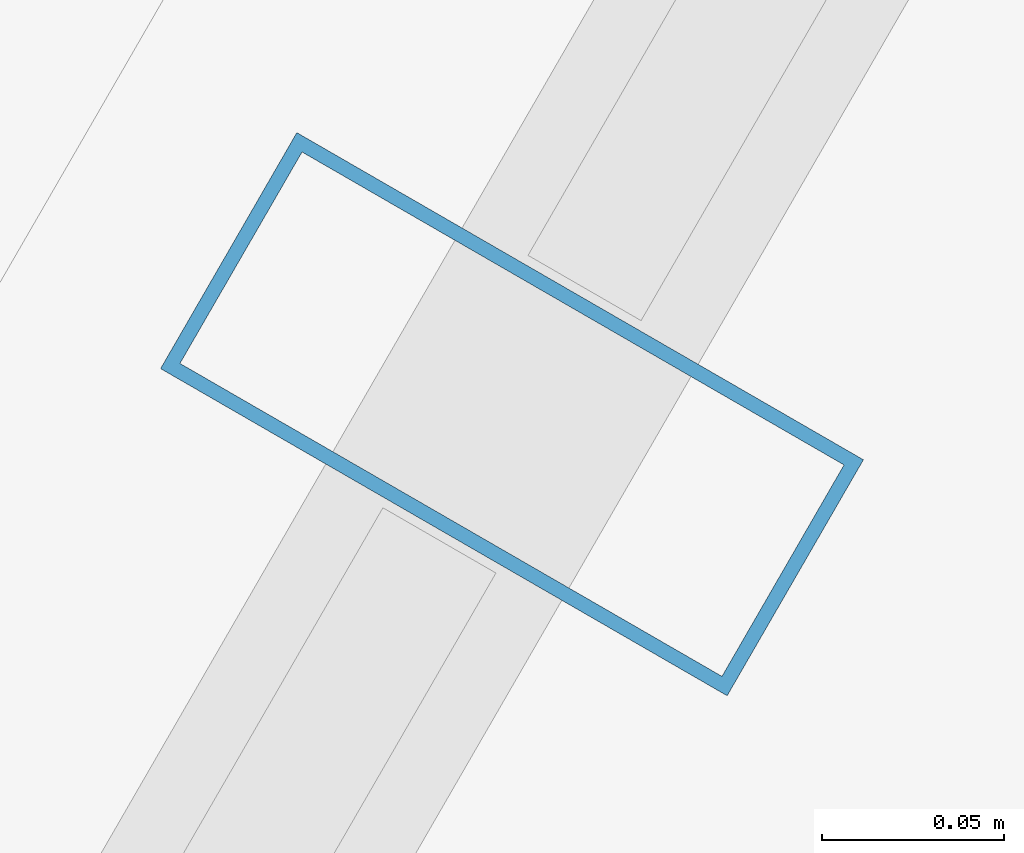
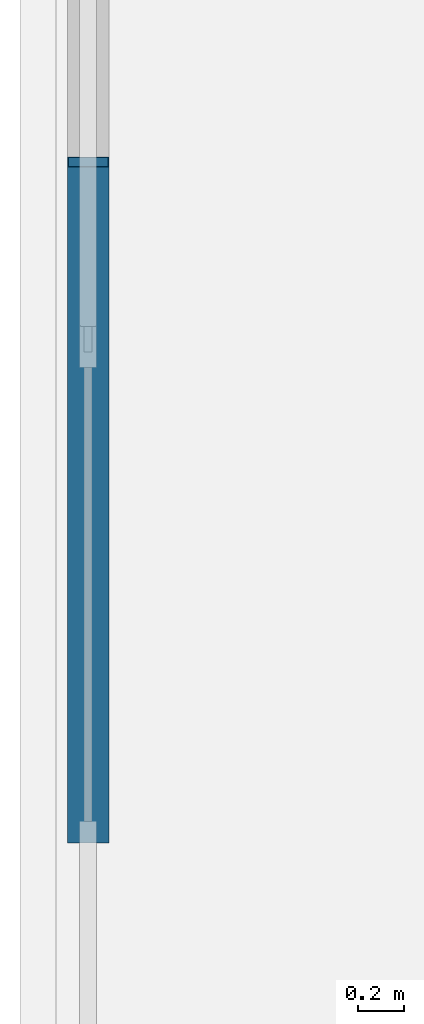
# One storey, part 15 of 32: 1 member, 1 element without a shape of its own.
"""IFC4 building model written with IfcOpenShell, lengths in metres."""

import ifcopenshell
import ifcopenshell.guid

model = None  # the IFC model being written
_history = None  # IfcOwnerHistory: only IFC2X3 demands one
_inside = {}  # id of a spatial element -> (the spatial element, [elements in it])
_under = {}  # id of a project, library or spatial element -> (it, [spatial elements below it])
_declared = {}  # id of a project -> (the project, [libraries it declares])
_typed = {}  # id of a type object -> (the type object, [elements of that type])
_made_of = {}  # id of a material, layer set ... -> (it, [elements and type objects made of it])


def new_model(schema):
    """Start an empty IFC model of exactly this schema.

    Asked for "IFC4X3", IfcOpenShell would pick the latest addendum, in which some entities
    have other attributes; the version numbers below select the first issue.
    IFC2X3 requires an IfcOwnerHistory on every rooted entity: one is made here for all.
    """
    global model, _history
    if schema == "IFC4X3":
        model = ifcopenshell.file(schema_version=(4, 3, 0, 0))
    else:
        model = ifcopenshell.file(schema=schema)
    _inside.clear()
    _under.clear()
    _declared.clear()
    _typed.clear()
    _made_of.clear()
    _history = None
    if model.schema == "IFC2X3":
        org = make("IfcOrganization", Name="unknown")
        user = make(
            "IfcPersonAndOrganization",
            ThePerson=make("IfcPerson", FamilyName="unknown"),
            TheOrganization=org,
        )
        app = make(
            "IfcApplication",
            ApplicationDeveloper=org,
            Version="unknown",
            ApplicationFullName="unknown",
            ApplicationIdentifier="unknown",
        )
        _history = make(
            "IfcOwnerHistory",
            OwningUser=user,
            OwningApplication=app,
            ChangeAction="ADDED",
            CreationDate=0,
        )
    return model


def make(cls, **values):
    """One entity of the class cls with the attributes given. An attribute that is None is left unset."""
    return model.create_entity(
        cls, **{name: value for name, value in values.items() if value is not None}
    )


def rooted(cls, **values):
    """An entity with a GlobalId (a new one), such as an element, a storey or a relation."""
    return make(cls, GlobalId=ifcopenshell.guid.new(), OwnerHistory=_history, **values)


def si_unit(unit_type, name, prefix=None):
    """IfcSIUnit, for example si_unit("LENGTHUNIT", "METRE", prefix="MILLI")."""
    return make("IfcSIUnit", UnitType=unit_type, Prefix=prefix, Name=name)


def assignment(units):
    """IfcUnitAssignment: the units of a project."""
    return None if units is None else make("IfcUnitAssignment", Units=units)


def point(xyz):
    """IfcCartesianPoint."""
    return None if xyz is None else make("IfcCartesianPoint", Coordinates=xyz)


def direction(xyz):
    """IfcDirection."""
    return None if xyz is None else make("IfcDirection", DirectionRatios=xyz)


def frame(location, z_axis=None, x_axis=None):
    """IfcAxis2Placement3D, a coordinate frame: its origin and axes. An axis left out is left unset."""
    return make(
        "IfcAxis2Placement3D",
        Location=point(location),
        Axis=direction(z_axis),
        RefDirection=direction(x_axis),
    )


def frame_2d(location, x_axis=None):
    """IfcAxis2Placement2D, a coordinate frame in the plane: its origin and x axis."""
    return make(
        "IfcAxis2Placement2D", Location=point(location), RefDirection=direction(x_axis)
    )


def origin():
    """The frame at (0, 0, 0) with its axes left unset."""
    return frame((0.0, 0.0, 0.0))


def origin_2d():
    """The frame at (0, 0) in the plane with its x axis left unset."""
    return frame_2d((0.0, 0.0))


def place(relative_to, where):
    """IfcLocalPlacement: puts the frame where relative to a parent placement (None: the world)."""
    return make(
        "IfcLocalPlacement", PlacementRelTo=relative_to, RelativePlacement=where
    )


def context(
    kind, dimensions, precision=None, world=None, true_north=None, identifier=None
):
    """IfcGeometricRepresentationContext, for example the 3D "Model" context."""
    return make(
        "IfcGeometricRepresentationContext",
        ContextIdentifier=identifier,
        ContextType=kind,
        CoordinateSpaceDimension=dimensions,
        Precision=precision,
        WorldCoordinateSystem=world,
        TrueNorth=true_north,
    )


def subcontext(parent, identifier, kind, view, scale=None):
    """IfcGeometricRepresentationSubContext, for example "Body" below "Model"."""
    return make(
        "IfcGeometricRepresentationSubContext",
        ContextIdentifier=identifier,
        ContextType=kind,
        ParentContext=parent,
        TargetScale=scale,
        TargetView=view,
    )


def project(units=None, contexts=None):
    """IfcProject with its units and contexts."""
    return rooted(
        "IfcProject",
        Name="project",
        RepresentationContexts=contexts,
        UnitsInContext=assignment(units),
    )


def spatial(cls, under=None, at=None, **own):
    """A site, building, storey or space (cls), placed at a placement, below another one or the project."""
    s = rooted(cls, ObjectPlacement=at, **own)
    if under is not None:
        _under.setdefault(under.id(), (under, []))[1].append(s)
    return s


def profile(cls, at=None, kind="AREA", **sizes):
    """A parametric profile (cls). Its sizes go by their IFC names, for example OverallWidth=200.0."""
    return make(cls, ProfileType=kind, Position=at, **sizes)


def hollow_rectangle(**sizes):
    """IfcRectangleHollowProfileDef."""
    return profile("IfcRectangleHollowProfileDef", **sizes)


def extrude(swept, where, along, depth):
    """IfcExtrudedAreaSolid: the profile swept, set in the frame where, extruded along a direction by depth."""
    return make(
        "IfcExtrudedAreaSolid",
        SweptArea=swept,
        Position=where,
        ExtrudedDirection=direction(along),
        Depth=depth,
    )


def shape(context_of_items, identifier, shape_type, items):
    """IfcShapeRepresentation: the items that make up one representation, for example the "Body"."""
    return make(
        "IfcShapeRepresentation",
        ContextOfItems=context_of_items,
        RepresentationIdentifier=identifier,
        RepresentationType=shape_type,
        Items=items,
    )


def material(Name=None, Category=None):
    """IfcMaterial."""
    return make("IfcMaterial", Name=Name, Category=Category)


def layer(
    of_material, thickness, ventilated=None, Name=None, Category=None, Priority=None
):
    """IfcMaterialLayer: one layer of a wall or slab, of a material (None: an air gap)."""
    return make(
        "IfcMaterialLayer",
        Material=of_material,
        LayerThickness=thickness,
        IsVentilated=ventilated,
        Name=Name,
        Category=Category,
        Priority=Priority,
    )


def layer_set(layers, Name=None):
    """IfcMaterialLayerSet."""
    return make("IfcMaterialLayerSet", MaterialLayers=layers, LayerSetName=Name)


def material_profile(
    of_material, cross_section, Name=None, Category=None, Priority=None
):
    """IfcMaterialProfile: a cross section and its material."""
    return make(
        "IfcMaterialProfile",
        Name=Name,
        Material=of_material,
        Profile=cross_section,
        Priority=Priority,
        Category=Category,
    )


def profile_set(profiles, Name=None, composite=None):
    """IfcMaterialProfileSet."""
    return make(
        "IfcMaterialProfileSet",
        Name=Name,
        MaterialProfiles=profiles,
        CompositeProfile=composite,
    )


def made_of(thing, what):
    """Note that an element or type object is made of a material, layer set ...; save() writes the relation."""
    if what is not None:
        _made_of.setdefault(what.id(), (what, []))[1].append(thing)
    return thing


def type_object(cls, material=None, **own):
    """A type object (cls), such as IfcWallType, which elements share."""
    return made_of(rooted(cls, **own), material)


def element(
    cls,
    number,
    at=None,
    inside=None,
    cuts=None,
    type_object=None,
    material=None,
    context=None,
    identifier="Body",
    shape_type=None,
    held_by="IfcProductDefinitionShape",
    body=None,
    shapes=None,
    **own,
):
    """One element of the class cls, such as IfcWall. Its Tag is "e" and its number.

    at: its placement. inside: the storey or other place that contains it. cuts: it is an
    opening in that element (IfcRelVoidsElement). A single representation is given by context,
    identifier, shape_type and body (its items); several are given by shapes. held_by: the class
    of the entity that holds the representations. save() writes the other relations.
    """
    e = rooted(cls, Tag="e%d" % number, ObjectPlacement=at, **own)
    if body is not None:
        shapes = [shape(context, identifier, shape_type, body)]
    if shapes is not None:
        e.Representation = make(held_by, Representations=shapes)
    if inside is not None:
        _inside.setdefault(inside.id(), (inside, []))[1].append(e)
    if cuts is not None:
        rooted(
            "IfcRelVoidsElement", RelatingBuildingElement=cuts, RelatedOpeningElement=e
        )
    if type_object is not None:
        _typed.setdefault(type_object.id(), (type_object, []))[1].append(e)
    return made_of(e, material)


def aggregate(whole, parts):
    """IfcRelAggregates: a whole, such as a stair, and the parts it consists of."""
    return rooted("IfcRelAggregates", RelatingObject=whole, RelatedObjects=parts)


def save(model, path):
    """Write the relations noted so far, then the file.

    IfcRelAggregates (storeys below a building ...), IfcRelContainedInSpatialStructure (elements
    in a storey), IfcRelDefinesByType, IfcRelAssociatesMaterial and IfcRelDeclares: one each for
    every whole, place, type object, material and project.
    """
    for whole, parts in _under.values():
        aggregate(whole, parts)
    for where, things in _inside.values():
        rooted(
            "IfcRelContainedInSpatialStructure",
            RelatedElements=things,
            RelatingStructure=where,
        )
    for kind, things in _typed.values():
        rooted("IfcRelDefinesByType", RelatedObjects=things, RelatingType=kind)
    for what, things in _made_of.values():
        rooted("IfcRelAssociatesMaterial", RelatedObjects=things, RelatingMaterial=what)
    for by, libraries in _declared.values():
        rooted("IfcRelDeclares", RelatingContext=by, RelatedDefinitions=libraries)
    model.write(path)


model = new_model("IFC4")

# Units and contexts
model_context = context("Model", 3, precision=1e-05, world=origin(), true_north=direction((0.0, 1.0)))
body_context = subcontext(model_context, "Body", "Model", "MODEL_VIEW")
ifc_project = project(units=[si_unit("LENGTHUNIT", "METRE"), si_unit("AREAUNIT", "SQUARE_METRE"), si_unit("VOLUMEUNIT", "CUBIC_METRE"), si_unit("PLANEANGLEUNIT", "RADIAN"), si_unit("MASSUNIT", "GRAM", prefix="KILO")], contexts=[model_context])

# Site, building, storey
site_placement = place(None, origin())
site = spatial("IfcSite", under=ifc_project, at=site_placement, CompositionType="ELEMENT")
building_placement = place(site_placement, origin())
building = spatial("IfcBuilding", under=site, at=building_placement, Name="Ndaravel Arena Tower", CompositionType="ELEMENT")
storey_placement = place(building_placement, frame((0.0, 0.0, 283.300048828125)))
storey = spatial("IfcBuildingStorey", under=building, at=storey_placement, Name="L69", CompositionType="ELEMENT", Elevation=283.300048828125)

# Curtain wall, member
ifc_material_1 = material(Name="Aluminium", Category="aluminium")
ifc_layer = layer(ifc_material_1, 0.179931640625)
ifc_layer_set = layer_set([ifc_layer], Name="Aluminium")
curtain_wall_type = type_object("IfcCurtainWallType", Name="CW-SYS-03", PredefinedType="NOTDEFINED", material=ifc_layer_set)
curtain_wall_placement = place(storey_placement, origin())
curtain_wall = element("IfcCurtainWall", 1, at=curtain_wall_placement, inside=storey, type_object=curtain_wall_type, Name="L69 Faceted Crystal Curtain Wall CW-L69-E05", PredefinedType="NOTDEFINED")
ifc_material_2 = material(Name="Aluminium", Category="aluminium")
ifc_material_profile = material_profile(ifc_material_2, hollow_rectangle(XDim=0.074951171875, YDim=0.179931640625, WallThickness=0.00390625, at=origin_2d()), Name="CW MULLION 75x180x4")
ifc_profile_set = profile_set([ifc_material_profile], Name="Aluminium")
member_type = type_object("IfcMemberType", Name="MEM-CW-MUL180", PredefinedType="MULLION", material=ifc_profile_set)
member_placement = place(storey_placement, frame((35.275390625, 36.086181640625, 0.0), z_axis=(0.0, 0.0, 1.0), x_axis=(-0.5, -0.866025403784, 0.0)))
member = element("IfcMember", 2, at=member_placement, type_object=member_type, Name="CW-L69-E05 Mullion 02", PredefinedType="MULLION", context=body_context, shape_type="SweptSolid", body=[
    extrude(hollow_rectangle(XDim=0.074951171875, YDim=0.179931640625, WallThickness=0.00390625, at=origin_2d()), origin(), (0.0, 0.0, 1.0), 3.579833984375),
])
aggregate(curtain_wall, [member])

save(model, "model.ifc")
